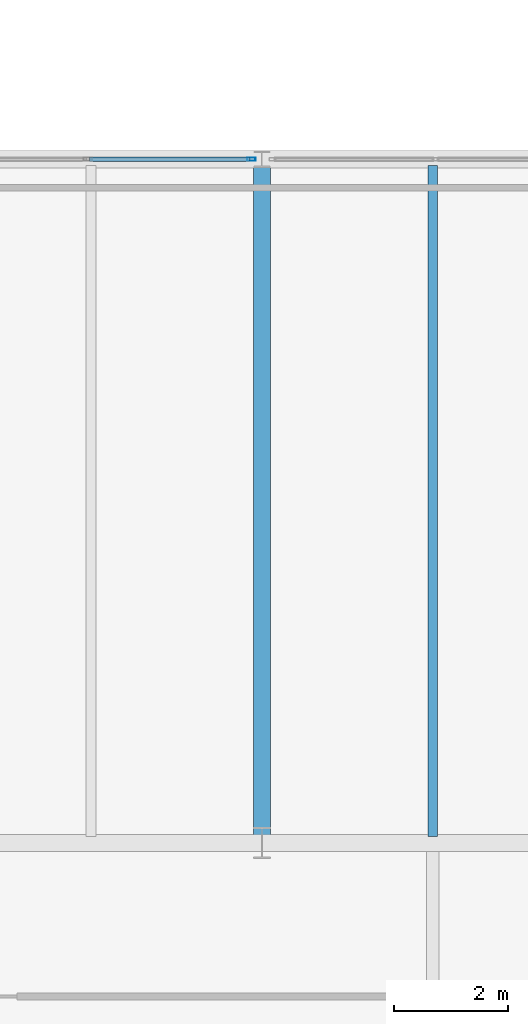
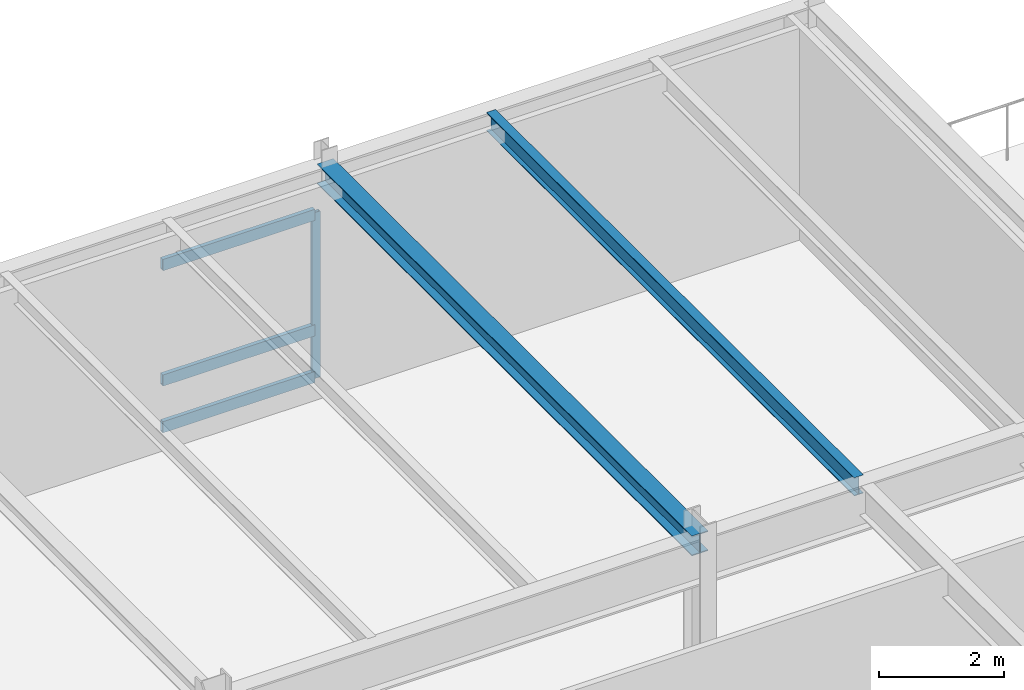
# One storey, part 25 of 115: 4 members, 2 beams, 1 element without a shape of its own.
"""IFC4 building model written with IfcOpenShell, lengths in metres."""

from ifc_helpers import new_model, si_unit, direction, frame, origin, origin_2d, place, context, subcontext, project, spatial, hollow_rectangle, i_section, extrude, material, layer, layer_set, material_profile, profile_set, type_object, element, aggregate, save


model = new_model("IFC4")

# Units and contexts
model_context = context("Model", 3, precision=1e-05, world=origin(), true_north=direction((0.0, 1.0)))
body_context = subcontext(model_context, "Body", "Model", "MODEL_VIEW")
ifc_project = project(units=[si_unit("LENGTHUNIT", "METRE"), si_unit("AREAUNIT", "SQUARE_METRE"), si_unit("VOLUMEUNIT", "CUBIC_METRE"), si_unit("PLANEANGLEUNIT", "RADIAN"), si_unit("MASSUNIT", "GRAM", prefix="KILO")], contexts=[model_context])

# Site, building, storey
site_placement = place(None, origin())
site = spatial("IfcSite", under=ifc_project, at=site_placement, CompositionType="ELEMENT")
building_placement = place(site_placement, origin())
building = spatial("IfcBuilding", under=site, at=building_placement, Name="Montelvaro Courts of Justice", CompositionType="ELEMENT")
storey_placement = place(building_placement, frame((0.0, 0.0, 9.89990234375)))
storey = spatial("IfcBuildingStorey", under=building, at=storey_placement, Name="L02", CompositionType="ELEMENT", Elevation=9.89990234375)

# Beams
ifc_material_1 = material(Name="Steel S355", Category="steel")
ifc_material_profile_1 = material_profile(ifc_material_1, i_section(OverallWidth=0.300048828125, OverallDepth=0.389892578125, WebThickness=0.010986328125, FlangeThickness=0.01904296875, at=origin_2d()), Name="HEA 400")
ifc_profile_set_1 = profile_set([ifc_material_profile_1], Name="Steel S355")
beam_type_1 = type_object("IfcBeamType", Name="Beam_HEA400", PredefinedType="USERDEFINED", material=ifc_profile_set_1)
beam_1_placement = place(storey_placement, frame((36.0, 42.0, 3.965087890625), z_axis=(0.0, 1.0, 0.0), x_axis=(-1.0, 0.0, 0.0)))
element("IfcBeam", 1, at=beam_1_placement, inside=storey, type_object=beam_type_1, Name="Beam B-17 L02", ObjectType="GIRDER", PredefinedType="USERDEFINED", context=body_context, shape_type="SweptSolid", body=[
    extrude(i_section(OverallWidth=0.300048828125, OverallDepth=0.389892578125, WebThickness=0.010986328125, FlangeThickness=0.01904296875, at=origin_2d()), origin(), (0.0, 0.0, 1.0), 12.0),
])
ifc_material_profile_2 = material_profile(ifc_material_1, i_section(OverallWidth=0.169921875, OverallDepth=0.360107421875, WebThickness=0.008056640625, FlangeThickness=0.0126953125, at=origin_2d()), Name="IPE 360")
ifc_profile_set_2 = profile_set([ifc_material_profile_2], Name="Steel S355")
beam_type_2 = type_object("IfcBeamType", Name="Beam_IPE360", PredefinedType="BEAM", material=ifc_profile_set_2)
beam_2_placement = place(storey_placement, frame((39.0, 42.110107421875, 3.97998046875), z_axis=(0.0, 1.0, 0.0), x_axis=(-1.0, 0.0, 0.0)))
element("IfcBeam", 2, at=beam_2_placement, inside=storey, type_object=beam_type_2, Name="Beam B-07 L02", PredefinedType="BEAM", context=body_context, shape_type="SweptSolid", body=[
    extrude(i_section(OverallWidth=0.169921875, OverallDepth=0.360107421875, WebThickness=0.008056640625, FlangeThickness=0.0126953125, at=origin_2d()), origin(), (0.0, 0.0, 1.0), 11.77978515625),
])

# Curtain wall, members
ifc_material_2 = material(Name="Anodised aluminium EN AW-6063", Category="aluminium")
ifc_layer = layer(ifc_material_2, 0.159912109375)
ifc_layer_set = layer_set([ifc_layer], Name="Anodised aluminium EN AW-6063")
curtain_wall_type = type_object("IfcCurtainWallType", Name="CurtainWall_18_868x418", PredefinedType="USERDEFINED", material=ifc_layer_set)
curtain_wall_placement = place(storey_placement, origin())
curtain_wall = element("IfcCurtainWall", 3, at=curtain_wall_placement, inside=storey, type_object=curtain_wall_type, Name="Curtain Wall CW-18 (L02)", ObjectType="CURTAIN WALL", PredefinedType="USERDEFINED")
ifc_material_profile_3 = material_profile(ifc_material_2, hollow_rectangle(XDim=0.06005859375, YDim=0.14990234375, WallThickness=0.00390625, at=origin_2d()), Name="ALU-M 60x150")
ifc_profile_set_3 = profile_set([ifc_material_profile_3], Name="Anodised aluminium EN AW-6063")
member_type_1 = type_object("IfcMemberType", Name="CurtainWall_Mullion_60x150", PredefinedType="MULLION", material=ifc_profile_set_3)
member_1_placement = place(storey_placement, frame((35.81494140625, 54.0, 0.0), z_axis=(0.0, 0.0, 1.0), x_axis=(0.0, -1.0, 0.0)))
member_1 = element("IfcMember", 4, at=member_1_placement, type_object=member_type_1, Name="CW-18 mullion 1", PredefinedType="MULLION", context=body_context, shape_type="SweptSolid", body=[
    extrude(hollow_rectangle(XDim=0.06005859375, YDim=0.14990234375, WallThickness=0.00390625, at=origin_2d()), origin(), (0.0, 0.0, 1.0), 3.2451171875),
])
ifc_material_profile_4 = material_profile(ifc_material_2, hollow_rectangle(XDim=0.074951171875, YDim=0.219970703125, WallThickness=0.005615234375, at=origin_2d()), Name="ALU-T 75x220")
ifc_profile_set_4 = profile_set([ifc_material_profile_4], Name="Anodised aluminium EN AW-6063")
member_type_2 = type_object("IfcMemberType", Name="CurtainWall_Transom_75x220", PredefinedType="USERDEFINED", material=ifc_profile_set_4)
member_2_placement = place(storey_placement, frame((35.784912109375, 54.0, 0.03759765625), z_axis=(-1.0, 0.0, 0.0), x_axis=(0.0, -1.0, 0.0)))
member_2 = element("IfcMember", 5, at=member_2_placement, type_object=member_type_2, Name="CW-18 transom 1.1", ObjectType="TRANSOM", PredefinedType="USERDEFINED", context=body_context, shape_type="SweptSolid", body=[
    extrude(hollow_rectangle(XDim=0.074951171875, YDim=0.219970703125, WallThickness=0.005615234375, at=origin_2d()), origin(), (0.0, 0.0, 1.0), 2.809814453125),
])
member_3_placement = place(storey_placement, frame((35.784912109375, 54.0, 0.9501953125), z_axis=(-1.0, 0.0, 0.0), x_axis=(0.0, -1.0, 0.0)))
member_3 = element("IfcMember", 6, at=member_3_placement, type_object=member_type_2, Name="CW-18 transom 1.2", ObjectType="TRANSOM", PredefinedType="USERDEFINED", context=body_context, shape_type="SweptSolid", body=[
    extrude(hollow_rectangle(XDim=0.074951171875, YDim=0.219970703125, WallThickness=0.005615234375, at=origin_2d()), origin(), (0.0, 0.0, 1.0), 2.809814453125),
])
member_4_placement = place(storey_placement, frame((35.784912109375, 54.0, 3.20751953125), z_axis=(-1.0, 0.0, 0.0), x_axis=(0.0, -1.0, 0.0)))
member_4 = element("IfcMember", 7, at=member_4_placement, type_object=member_type_2, Name="CW-18 transom 1.3", ObjectType="TRANSOM", PredefinedType="USERDEFINED", context=body_context, shape_type="SweptSolid", body=[
    extrude(hollow_rectangle(XDim=0.074951171875, YDim=0.219970703125, WallThickness=0.005615234375, at=origin_2d()), origin(), (0.0, 0.0, 1.0), 2.809814453125),
])
aggregate(curtain_wall, [member_1, member_2, member_3, member_4])

save(model, "model.ifc")
